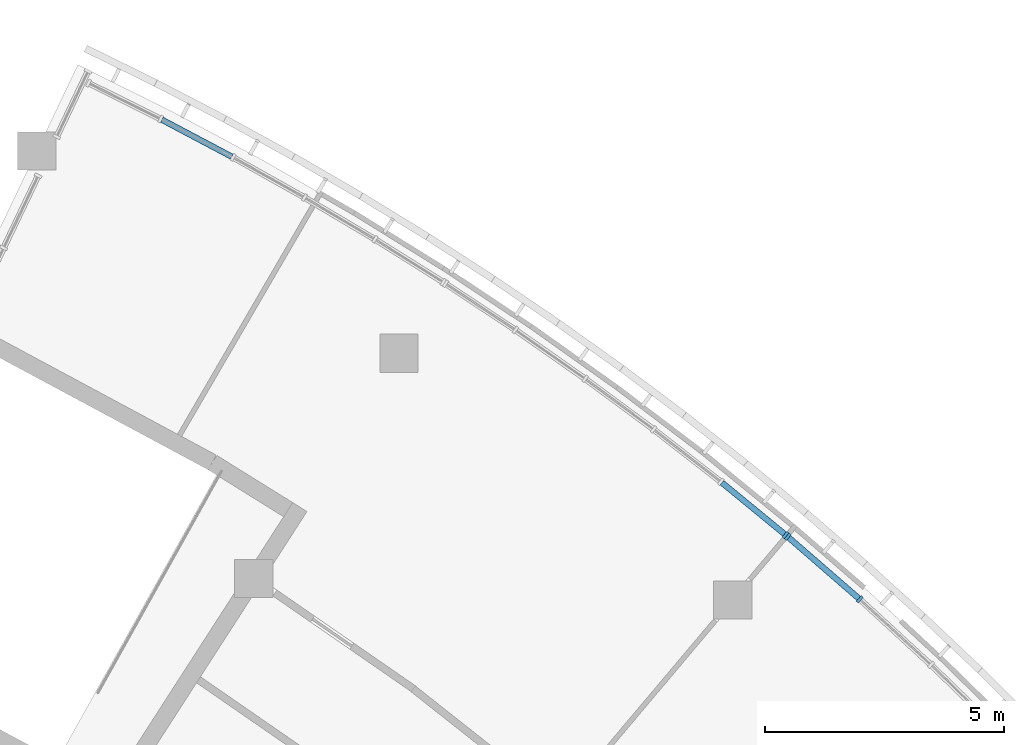
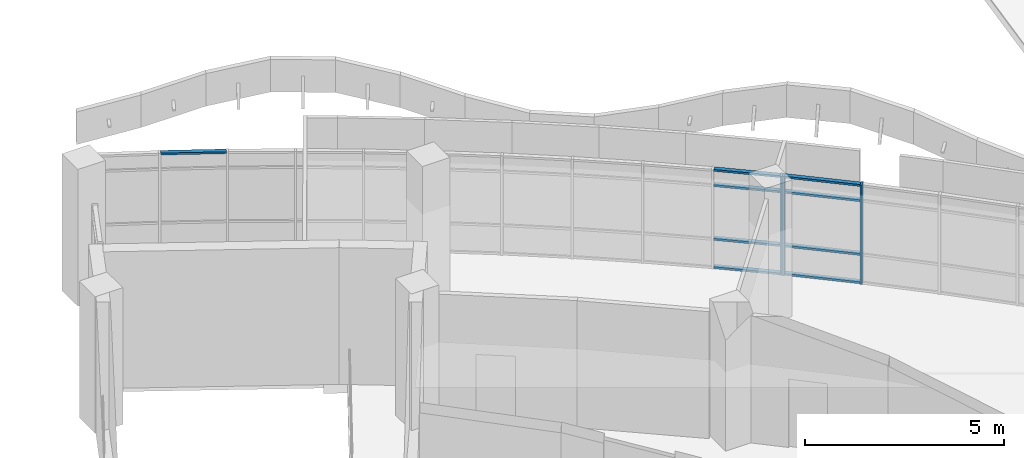
# One storey, part 16 of 137: 12 members, 3 elements without a shape of their own.
"""IFC4 building model written with IfcOpenShell, lengths in metres."""

from ifc_helpers import new_model, si_unit, direction, frame, origin, origin_2d, place, context, subcontext, project, spatial, rectangle, extrude, material, material_profile, profile_set, type_object, element, aggregate, save


model = new_model("IFC4")

# Units and contexts
model_context = context("Model", 3, precision=1e-05, world=origin(), true_north=direction((0.0, 1.0)))
body_context = subcontext(model_context, "Body", "Model", "MODEL_VIEW")
ifc_project = project(units=[si_unit("LENGTHUNIT", "METRE"), si_unit("AREAUNIT", "SQUARE_METRE"), si_unit("VOLUMEUNIT", "CUBIC_METRE"), si_unit("PLANEANGLEUNIT", "RADIAN"), si_unit("MASSUNIT", "GRAM", prefix="KILO")], contexts=[model_context])

# Site, building, storey
site_placement = place(None, origin())
site = spatial("IfcSite", under=ifc_project, at=site_placement, CompositionType="ELEMENT")
building_placement = place(site_placement, origin())
building = spatial("IfcBuilding", under=site, at=building_placement, Name="Bougainvillea Quay General Hospital", CompositionType="ELEMENT")
storey_placement = place(building_placement, frame((0.0, 0.0, 16.800048828125)))
storey = spatial("IfcBuildingStorey", under=building, at=storey_placement, Name="L03", CompositionType="ELEMENT", Elevation=16.800048828125)

# Curtain wall, member
ifc_material_1 = material(Name="Aluminium curtain wall system, powder-coated glazed", Category="aluminium")
curtain_wall_type = type_object("IfcCurtainWallType", Name="Unitised curtain wall CW-2100", PredefinedType="NOTDEFINED", material=ifc_material_1)
curtain_wall_1_placement = place(storey_placement, origin())
curtain_wall_1 = element("IfcCurtainWall", 1, at=curtain_wall_1_placement, inside=storey, type_object=curtain_wall_type, Name="CW-E02 a10b1", PredefinedType="NOTDEFINED")
ifc_material_2 = material(Name="Aluminium mullion, powder-coated charcoal", Category="aluminium")
ifc_material_profile_1 = material_profile(ifc_material_2, rectangle(XDim=0.159912109375, YDim=0.06005859375, at=origin_2d()))
ifc_profile_set_1 = profile_set([ifc_material_profile_1], Name="Aluminium mullion, powder-coated charcoal")
member_type_1 = type_object("IfcMemberType", Name="Curtain wall mullion 160x60", PredefinedType="MULLION", material=ifc_profile_set_1)
member_1_placement = place(storey_placement, frame((154.126953125, 75.353759765625, 0.0), z_axis=(0.0, 0.0, 1.0), x_axis=(0.634633403626, 0.772813329985, 0.0)))
member_1 = element("IfcMember", 2, at=member_1_placement, type_object=member_type_1, Name="CW-E02 mullion 6", PredefinedType="MULLION", context=body_context, shape_type="SweptSolid", body=[
    extrude(rectangle(XDim=0.159912109375, YDim=0.06005859375, at=origin_2d()), origin(), (0.0, 0.0, 1.0), 3.050048828125),
])

# Curtain wall, members
curtain_wall_2_placement = place(storey_placement, origin())
curtain_wall_2 = element("IfcCurtainWall", 3, at=curtain_wall_2_placement, inside=storey, type_object=curtain_wall_type, Name="CW-E03 a10b2", PredefinedType="NOTDEFINED")
member_2_placement = place(storey_placement, frame((154.1728515625, 75.31494140625, 0.0), z_axis=(0.0, 0.0, 1.0), x_axis=(0.655466875989, 0.755223923404, 0.0)))
member_2 = element("IfcMember", 4, at=member_2_placement, type_object=member_type_1, Name="CW-E03 mullion 1", PredefinedType="MULLION", context=body_context, shape_type="SweptSolid", body=[
    extrude(rectangle(XDim=0.159912109375, YDim=0.06005859375, at=origin_2d()), origin(), (0.0, 0.0, 1.0), 3.050048828125),
])
member_3_placement = place(storey_placement, frame((155.67822265625, 74.008544921875, 0.0), z_axis=(0.0, 0.0, 1.0), x_axis=(0.666351869577, 0.745637435964, 0.0)))
member_3 = element("IfcMember", 5, at=member_3_placement, type_object=member_type_1, Name="CW-E03 mullion 2", PredefinedType="MULLION", context=body_context, shape_type="SweptSolid", body=[
    extrude(rectangle(XDim=0.159912109375, YDim=0.06005859375, at=origin_2d()), origin(), (0.0, 0.0, 1.0), 3.050048828125),
])

# Curtain wall, member
curtain_wall_3_placement = place(storey_placement, origin())
curtain_wall_3 = element("IfcCurtainWall", 6, at=curtain_wall_3_placement, inside=storey, type_object=curtain_wall_type, Name="CW-E01 a10b0", PredefinedType="NOTDEFINED")
ifc_material_3 = material(Name="Aluminium transom, powder-coated charcoal", Category="aluminium")
ifc_material_profile_2 = material_profile(ifc_material_3, rectangle(XDim=0.1201171875, YDim=0.06005859375, at=origin_2d()))
ifc_profile_set_2 = profile_set([ifc_material_profile_2], Name="Aluminium transom, powder-coated charcoal")
member_type_2 = type_object("IfcMemberType", Name="Curtain wall transom 120x60", PredefinedType="USERDEFINED", material=ifc_profile_set_2)
member_4_placement = place(storey_placement, frame((141.09326171875, 84.03125, 3.02001953125), z_axis=(0.883845412695, -0.467779100066, 0.0), x_axis=(0.467779100066, 0.883845412695, 0.0)))
member_4 = element("IfcMember", 7, at=member_4_placement, type_object=member_type_2, Name="CW-E01 transom 2.4", ObjectType="TRANSOM", PredefinedType="USERDEFINED", context=body_context, shape_type="SweptSolid", body=[
    extrude(rectangle(XDim=0.1201171875, YDim=0.06005859375, at=origin_2d()), origin(), (0.0, 0.0, 1.0), 1.65234375),
])
aggregate(curtain_wall_3, [member_4])

# Member
member_5_placement = place(storey_placement, frame((152.797607421875, 76.4453125, 0.030029296875), z_axis=(0.772842642941, -0.634597706624, 0.0), x_axis=(0.634597706624, 0.772842642941, 0.0)))
member_5 = element("IfcMember", 8, at=member_5_placement, type_object=member_type_2, Name="CW-E02 transom 5.1", ObjectType="TRANSOM", PredefinedType="USERDEFINED", context=body_context, shape_type="SweptSolid", body=[
    extrude(rectangle(XDim=0.1201171875, YDim=0.06005859375, at=origin_2d()), origin(), (0.0, 0.0, 1.0), 1.68994140625),
])

member_6_placement = place(storey_placement, frame((152.797607421875, 76.4453125, 0.89990234375), z_axis=(0.772842642941, -0.634597706624, 0.0), x_axis=(0.634597706624, 0.772842642941, 0.0)))
member_6 = element("IfcMember", 9, at=member_6_placement, type_object=member_type_2, Name="CW-E02 transom 5.2", ObjectType="TRANSOM", PredefinedType="USERDEFINED", context=body_context, shape_type="SweptSolid", body=[
    extrude(rectangle(XDim=0.1201171875, YDim=0.06005859375, at=origin_2d()), origin(), (0.0, 0.0, 1.0), 1.68994140625),
])

member_7_placement = place(storey_placement, frame((152.797607421875, 76.4453125, 2.550048828125), z_axis=(0.772842642941, -0.634597706624, 0.0), x_axis=(0.634597706624, 0.772842642941, 0.0)))
member_7 = element("IfcMember", 10, at=member_7_placement, type_object=member_type_2, Name="CW-E02 transom 5.3", ObjectType="TRANSOM", PredefinedType="USERDEFINED", context=body_context, shape_type="SweptSolid", body=[
    extrude(rectangle(XDim=0.1201171875, YDim=0.06005859375, at=origin_2d()), origin(), (0.0, 0.0, 1.0), 1.68994140625),
])

member_8_placement = place(storey_placement, frame((152.797607421875, 76.4453125, 3.02001953125), z_axis=(0.772842642941, -0.634597706624, 0.0), x_axis=(0.634597706624, 0.772842642941, 0.0)))
member_8 = element("IfcMember", 11, at=member_8_placement, type_object=member_type_2, Name="CW-E02 transom 5.4", ObjectType="TRANSOM", PredefinedType="USERDEFINED", context=body_context, shape_type="SweptSolid", body=[
    extrude(rectangle(XDim=0.1201171875, YDim=0.06005859375, at=origin_2d()), origin(), (0.0, 0.0, 1.0), 1.68994140625),
])

aggregate(curtain_wall_1, [member_1, member_5, member_6, member_7, member_8])

member_9_placement = place(storey_placement, frame((154.195556640625, 75.29541015625, 0.030029296875), z_axis=(0.755168009572, -0.655531293928, 0.0), x_axis=(0.655531293928, 0.755168009572, 0.0)))
member_9 = element("IfcMember", 12, at=member_9_placement, type_object=member_type_2, Name="CW-E03 transom 1.1", ObjectType="TRANSOM", PredefinedType="USERDEFINED", context=body_context, shape_type="SweptSolid", body=[
    extrude(rectangle(XDim=0.1201171875, YDim=0.06005859375, at=origin_2d()), origin(), (0.0, 0.0, 1.0), 1.933349609375),
])

member_10_placement = place(storey_placement, frame((154.195556640625, 75.29541015625, 0.89990234375), z_axis=(0.755168009572, -0.655531293928, 0.0), x_axis=(0.655531293928, 0.755168009572, 0.0)))
member_10 = element("IfcMember", 13, at=member_10_placement, type_object=member_type_2, Name="CW-E03 transom 1.2", ObjectType="TRANSOM", PredefinedType="USERDEFINED", context=body_context, shape_type="SweptSolid", body=[
    extrude(rectangle(XDim=0.1201171875, YDim=0.06005859375, at=origin_2d()), origin(), (0.0, 0.0, 1.0), 1.933349609375),
])

member_11_placement = place(storey_placement, frame((154.195556640625, 75.29541015625, 2.550048828125), z_axis=(0.755168009572, -0.655531293928, 0.0), x_axis=(0.655531293928, 0.755168009572, 0.0)))
member_11 = element("IfcMember", 14, at=member_11_placement, type_object=member_type_2, Name="CW-E03 transom 1.3", ObjectType="TRANSOM", PredefinedType="USERDEFINED", context=body_context, shape_type="SweptSolid", body=[
    extrude(rectangle(XDim=0.1201171875, YDim=0.06005859375, at=origin_2d()), origin(), (0.0, 0.0, 1.0), 1.933349609375),
])

member_12_placement = place(storey_placement, frame((154.195556640625, 75.29541015625, 3.02001953125), z_axis=(0.755168009572, -0.655531293928, 0.0), x_axis=(0.655531293928, 0.755168009572, 0.0)))
member_12 = element("IfcMember", 15, at=member_12_placement, type_object=member_type_2, Name="CW-E03 transom 1.4", ObjectType="TRANSOM", PredefinedType="USERDEFINED", context=body_context, shape_type="SweptSolid", body=[
    extrude(rectangle(XDim=0.1201171875, YDim=0.06005859375, at=origin_2d()), origin(), (0.0, 0.0, 1.0), 1.933349609375),
])

aggregate(curtain_wall_2, [member_2, member_3, member_9, member_10, member_11, member_12])

save(model, "model.ifc")
